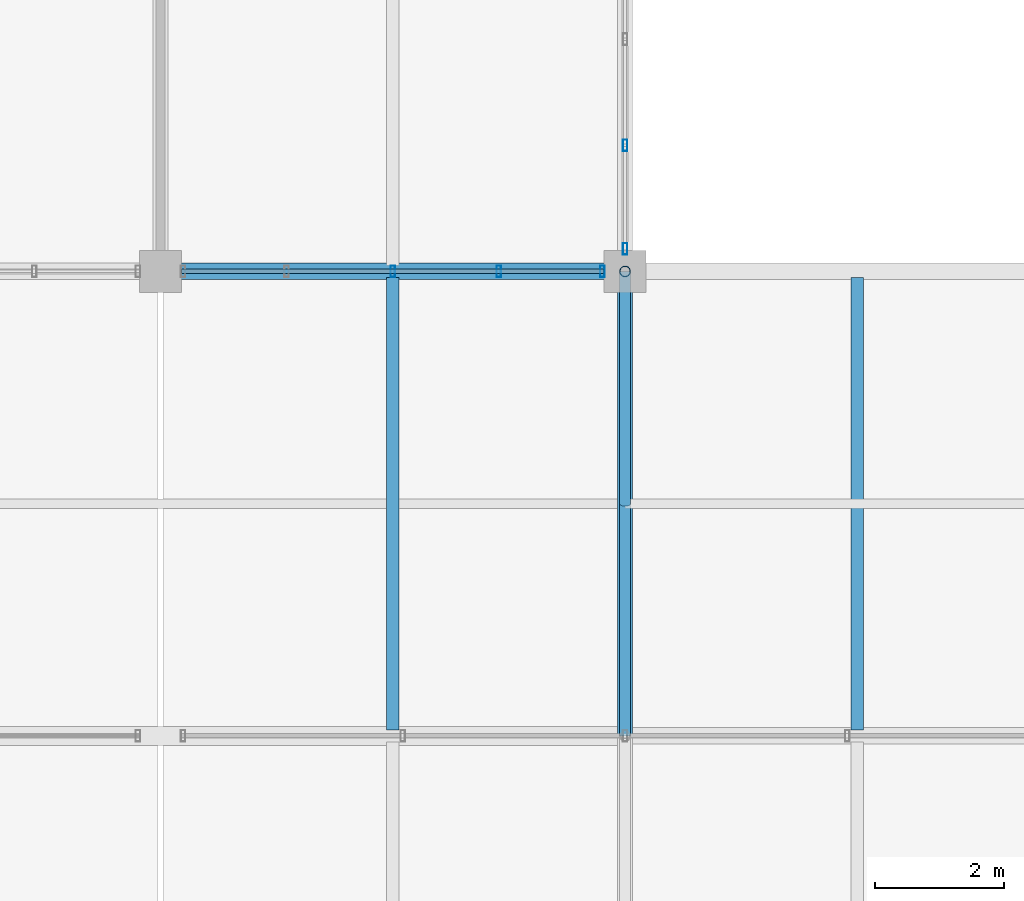
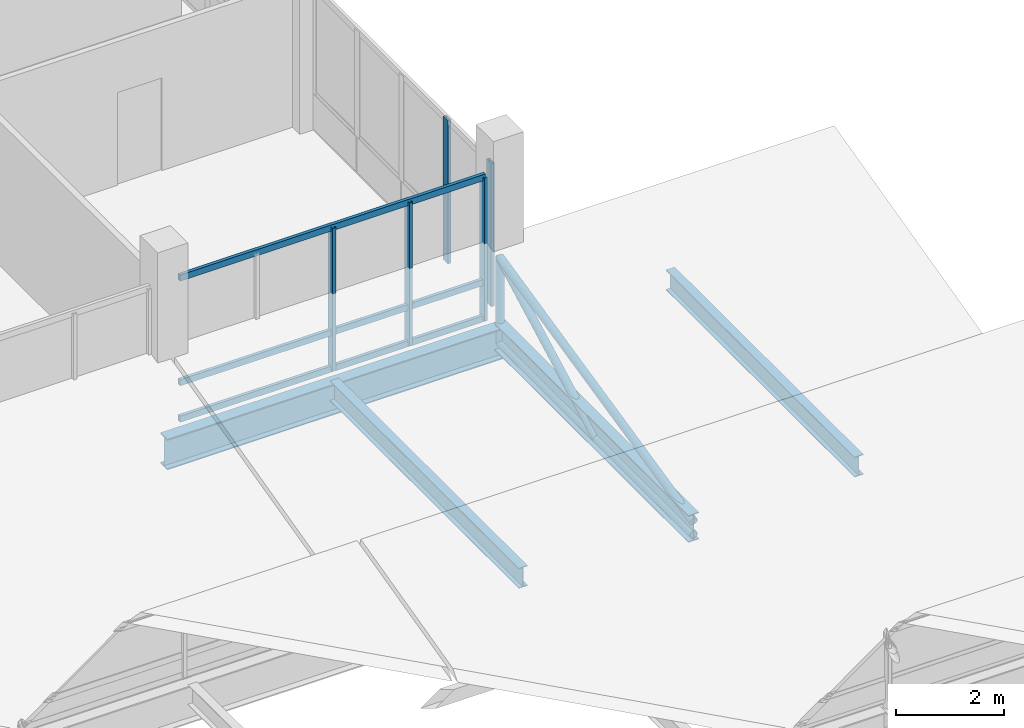
# One storey, part 84 of 144: 12 members, 4 beams, 2 elements without a shape of their own.
"""IFC4 building model written with IfcOpenShell, lengths in metres."""

from ifc_helpers import new_model, si_unit, direction, frame, origin, origin_2d, place, context, subcontext, project, spatial, hollow_rectangle, hollow_circle, i_section, extrude, material, material_profile, profile_set, type_object, element, aggregate, save


model = new_model("IFC4")

# Units and contexts
model_context = context("Model", 3, precision=1e-05, world=origin(), true_north=direction((0.0, 1.0)))
body_context = subcontext(model_context, "Body", "Model", "MODEL_VIEW")
ifc_project = project(units=[si_unit("LENGTHUNIT", "METRE"), si_unit("AREAUNIT", "SQUARE_METRE"), si_unit("VOLUMEUNIT", "CUBIC_METRE"), si_unit("PLANEANGLEUNIT", "RADIAN"), si_unit("MASSUNIT", "GRAM", prefix="KILO")], contexts=[model_context])

# Site, building, storey
site_placement = place(None, origin())
site = spatial("IfcSite", under=ifc_project, at=site_placement, CompositionType="ELEMENT")
building_placement = place(site_placement, origin())
building = spatial("IfcBuilding", under=site, at=building_placement, Name="Yarey Park Central Fire Station", CompositionType="ELEMENT")
storey_placement = place(building_placement, frame((0.0, 0.0, 10.199951171875)))
storey = spatial("IfcBuildingStorey", under=building, at=storey_placement, Name="L03", CompositionType="ELEMENT", Elevation=10.199951171875)

# Curtain wall, members
ifc_material_1 = material(Name="Anodized Aluminium Frame", Category="aluminium")
curtain_wall_type = type_object("IfcCurtainWallType", Name="ENV_CW_HQ_L03", PredefinedType="NOTDEFINED", material=ifc_material_1)
curtain_wall_1_placement = place(storey_placement, origin())
curtain_wall_1 = element("IfcCurtainWall", 1, at=curtain_wall_1_placement, inside=storey, type_object=curtain_wall_type, Name="CW_L03_V4_S_6", PredefinedType="NOTDEFINED")
ifc_material_profile_1 = material_profile(ifc_material_1, hollow_rectangle(XDim=0.070068359375, YDim=0.179931640625, WallThickness=0.00390625, at=origin_2d()), Name="ALU 180x70x4")
ifc_profile_set_1 = profile_set([ifc_material_profile_1], Name="Anodized Aluminium Frame")
member_type_1 = type_object("IfcMemberType", Name="ENV_CW_MULLION", PredefinedType="MULLION", material=ifc_profile_set_1)
member_1_placement = place(storey_placement, frame((154.800048828125, 93.60009765625, 0.0), z_axis=(0.0, 0.0, 1.0), x_axis=(1.0, 0.0, 0.0)))
member_1 = element("IfcMember", 2, at=member_1_placement, type_object=member_type_1, Name="CW_L03_V4_S_6_MUL3", PredefinedType="MULLION", context=body_context, shape_type="SweptSolid", body=[
    extrude(hollow_rectangle(XDim=0.070068359375, YDim=0.179931640625, WallThickness=0.00390625, at=origin_2d()), origin(), (0.0, 0.0, 1.0), 3.25),
])
member_2_placement = place(storey_placement, frame((156.445068359375, 93.60009765625, 0.0), z_axis=(0.0, 0.0, 1.0), x_axis=(1.0, 0.0, 0.0)))
member_2 = element("IfcMember", 3, at=member_2_placement, type_object=member_type_1, Name="CW_L03_V4_S_6_MUL4", PredefinedType="MULLION", context=body_context, shape_type="SweptSolid", body=[
    extrude(hollow_rectangle(XDim=0.070068359375, YDim=0.179931640625, WallThickness=0.00390625, at=origin_2d()), origin(), (0.0, 0.0, 1.0), 3.25),
])
member_3_placement = place(storey_placement, frame((158.050048828125, 93.60009765625, 0.0), z_axis=(0.0, 0.0, 1.0), x_axis=(1.0, 0.0, 0.0)))
member_3 = element("IfcMember", 4, at=member_3_placement, type_object=member_type_1, Name="CW_L03_V4_S_6_MUL5", PredefinedType="MULLION", context=body_context, shape_type="SweptSolid", body=[
    extrude(hollow_rectangle(XDim=0.070068359375, YDim=0.179931640625, WallThickness=0.00390625, at=origin_2d()), origin(), (0.0, 0.0, 1.0), 3.25),
])

curtain_wall_2_placement = place(storey_placement, origin())
curtain_wall_2 = element("IfcCurtainWall", 5, at=curtain_wall_2_placement, inside=storey, type_object=curtain_wall_type, Name="CW_L03_V4_E_93", PredefinedType="NOTDEFINED")
member_4_placement = place(storey_placement, frame((158.39990234375, 93.949951171875, 0.0), z_axis=(0.0, 0.0, 1.0), x_axis=(1.0, 0.0, 0.0)))
member_4 = element("IfcMember", 6, at=member_4_placement, type_object=member_type_1, Name="CW_L03_V4_E_93_MUL1", PredefinedType="MULLION", context=body_context, shape_type="SweptSolid", body=[
    extrude(hollow_rectangle(XDim=0.070068359375, YDim=0.179931640625, WallThickness=0.00390625, at=origin_2d()), origin(), (0.0, 0.0, 1.0), 3.25),
])
member_5_placement = place(storey_placement, frame((158.39990234375, 95.554931640625, 0.0), z_axis=(0.0, 0.0, 1.0), x_axis=(1.0, 0.0, 0.0)))
member_5 = element("IfcMember", 7, at=member_5_placement, type_object=member_type_1, Name="CW_L03_V4_E_93_MUL2", PredefinedType="MULLION", context=body_context, shape_type="SweptSolid", body=[
    extrude(hollow_rectangle(XDim=0.070068359375, YDim=0.179931640625, WallThickness=0.00390625, at=origin_2d()), origin(), (0.0, 0.0, 1.0), 3.25),
])
aggregate(curtain_wall_2, [member_4, member_5])

# Member
ifc_material_profile_2 = material_profile(ifc_material_1, hollow_rectangle(XDim=0.070068359375, YDim=0.139892578125, WallThickness=0.00390625, at=origin_2d()), Name="ALU 140x70x4")
ifc_profile_set_2 = profile_set([ifc_material_profile_2], Name="Anodized Aluminium Frame")
member_type_2 = type_object("IfcMemberType", Name="ENV_CW_TRANSOM", PredefinedType="USERDEFINED", material=ifc_profile_set_2)
member_6_placement = place(storey_placement, frame((151.52490234375, 93.60009765625, 0.025146484375), z_axis=(1.0, 0.0, 0.0), x_axis=(0.0, 1.0, 0.0)))
member_6 = element("IfcMember", 8, at=member_6_placement, type_object=member_type_2, Name="CW_L03_V4_S_6_TRN1", ObjectType="TRANSOM", PredefinedType="USERDEFINED", context=body_context, shape_type="SweptSolid", body=[
    extrude(hollow_rectangle(XDim=0.070068359375, YDim=0.139892578125, WallThickness=0.00390625, at=origin_2d()), origin(), (0.0, 0.0, 1.0), 6.550048828125),
])

member_7_placement = place(storey_placement, frame((151.52490234375, 93.60009765625, 0.85009765625), z_axis=(1.0, 0.0, 0.0), x_axis=(0.0, 1.0, 0.0)))
member_7 = element("IfcMember", 9, at=member_7_placement, type_object=member_type_2, Name="CW_L03_V4_S_6_TRN2", ObjectType="TRANSOM", PredefinedType="USERDEFINED", context=body_context, shape_type="SweptSolid", body=[
    extrude(hollow_rectangle(XDim=0.070068359375, YDim=0.139892578125, WallThickness=0.00390625, at=origin_2d()), origin(), (0.0, 0.0, 1.0), 6.550048828125),
])

member_8_placement = place(storey_placement, frame((151.52490234375, 93.60009765625, 3.22509765625), z_axis=(1.0, 0.0, 0.0), x_axis=(0.0, 1.0, 0.0)))
member_8 = element("IfcMember", 10, at=member_8_placement, type_object=member_type_2, Name="CW_L03_V4_S_6_TRN3", ObjectType="TRANSOM", PredefinedType="USERDEFINED", context=body_context, shape_type="SweptSolid", body=[
    extrude(hollow_rectangle(XDim=0.070068359375, YDim=0.139892578125, WallThickness=0.00390625, at=origin_2d()), origin(), (0.0, 0.0, 1.0), 6.550048828125),
])

aggregate(curtain_wall_1, [member_1, member_2, member_3, member_6, member_7, member_8])

# Beams
ifc_material_2 = material(Name="Steel ASTM A992 Gr. 50", Category="steel")
ifc_material_profile_3 = material_profile(ifc_material_2, i_section(OverallWidth=0.22900390625, OverallDepth=0.612060546875, WebThickness=0.011962890625, FlangeThickness=0.01953125, at=origin_2d()), Name="W610x125")
ifc_profile_set_3 = profile_set([ifc_material_profile_3], Name="Steel ASTM A992 Gr. 50")
beam_type_1 = type_object("IfcBeamType", Name="STR_BM_W610", PredefinedType="BEAM", material=ifc_profile_set_3)
beam_1_placement = place(storey_placement, frame((158.39990234375, 86.39990234375, -0.48583984375), z_axis=(0.0, 1.0, 0.0), x_axis=(-1.0, 0.0, 0.0)))
element("IfcBeam", 11, at=beam_1_placement, inside=storey, type_object=beam_type_1, Name="BMY L03 X1584 Y864", PredefinedType="BEAM", context=body_context, shape_type="SweptSolid", body=[
    extrude(i_section(OverallWidth=0.22900390625, OverallDepth=0.612060546875, WebThickness=0.011962890625, FlangeThickness=0.01953125, at=origin_2d()), origin(), (0.0, 0.0, 1.0), 7.2001953125),
])
ifc_material_profile_4 = material_profile(ifc_material_2, i_section(OverallWidth=0.256103515625, OverallDepth=0.693115234375, WebThickness=0.014404296875, FlangeThickness=0.023681640625, at=origin_2d()), Name="W690x170")
ifc_profile_set_4 = profile_set([ifc_material_profile_4], Name="Steel ASTM A992 Gr. 50")
beam_type_2 = type_object("IfcBeamType", Name="STR_BM_W690", PredefinedType="BEAM", material=ifc_profile_set_4)
beam_2_placement = place(storey_placement, frame((151.199951171875, 93.60009765625, -0.6064453125), z_axis=(1.0, 0.0, 0.0), x_axis=(0.0, 1.0, 0.0)))
element("IfcBeam", 12, at=beam_2_placement, inside=storey, type_object=beam_type_2, Name="BMX L03 Y936 X1512", PredefinedType="BEAM", context=body_context, shape_type="SweptSolid", body=[
    extrude(i_section(OverallWidth=0.256103515625, OverallDepth=0.693115234375, WebThickness=0.014404296875, FlangeThickness=0.023681640625, at=origin_2d()), origin(), (0.0, 0.0, 1.0), 7.199951171875),
])

# Members
ifc_material_3 = material(Name="Steel ASTM A500 Gr. C", Category="steel")
ifc_material_profile_5 = material_profile(ifc_material_3, hollow_circle(Radius=0.084228515625, WallThickness=0.008056640625, at=origin_2d()), Name="CHS 168.3x8")
ifc_profile_set_5 = profile_set([ifc_material_profile_5], Name="Steel ASTM A500 Gr. C")
member_type_3 = type_object("IfcMemberType", Name="STR_CHORD_CHS168", PredefinedType="CHORD", material=ifc_profile_set_5)
member_9_placement = place(storey_placement, frame((158.39990234375, 86.39990234375, -0.64990234375), z_axis=(0.0, 1.0, 0.0), x_axis=(-1.0, 0.0, 0.0)))
element("IfcMember", 13, at=member_9_placement, inside=storey, type_object=member_type_3, Name="SAW_T3_B7_BC", PredefinedType="CHORD", context=body_context, shape_type="SweptSolid", body=[
    extrude(hollow_circle(Radius=0.084228515625, WallThickness=0.008056640625, at=origin_2d()), origin(), (0.0, 0.0, 1.0), 7.2001953125),
])
member_10_placement = place(storey_placement, frame((158.39990234375, 86.39990234375, -0.349853515625), z_axis=(0.0, 0.975465753488, 0.220151229324), x_axis=(-1.0, 0.0, 0.0)))
element("IfcMember", 14, at=member_10_placement, inside=storey, type_object=member_type_3, Name="SAW_T3_B7_TC", PredefinedType="CHORD", context=body_context, shape_type="SweptSolid", body=[
    extrude(hollow_circle(Radius=0.084228515625, WallThickness=0.008056640625, at=origin_2d()), origin(), (0.0, 0.0, 1.0), 7.38134765625),
])

# Beams
ifc_material_profile_6 = material_profile(ifc_material_2, i_section(OverallWidth=0.18994140625, OverallDepth=0.45703125, WebThickness=0.009033203125, FlangeThickness=0.014404296875, at=origin_2d()), Name="W460x74")
ifc_profile_set_6 = profile_set([ifc_material_profile_6], Name="Steel ASTM A992 Gr. 50")
beam_type_3 = type_object("IfcBeamType", Name="STR_JST_W460", PredefinedType="JOIST", material=ifc_profile_set_6)
for number, where, z_axis, x_axis, name in (
    (15, (154.800048828125, 86.4951171875, -0.408447265625), (0.0, 1.0, 0.0), (-1.0, 0.0, 0.0), "JST L03 X1548 Y864"),
    (16, (162.0, 86.4951171875, -0.408447265625), (0.0, 1.0, 0.0), (-1.0, 0.0, 0.0), "JST L03 X1620 Y864"),
):
    element("IfcBeam", number, at=place(storey_placement, frame(where, z_axis=z_axis, x_axis=x_axis)), inside=storey, type_object=beam_type_3, Name=name, PredefinedType="JOIST", context=body_context, shape_type="SweptSolid", body=[
        extrude(i_section(OverallWidth=0.18994140625, OverallDepth=0.45703125, WebThickness=0.009033203125, FlangeThickness=0.014404296875, at=origin_2d()), origin(), (0.0, 0.0, 1.0), 7.009765625),
    ])

# Members
ifc_material_profile_7 = material_profile(ifc_material_3, hollow_circle(Radius=0.084228515625, WallThickness=0.008056640625, at=origin_2d()), Name="CHS 168.3x8")
ifc_profile_set_7 = profile_set([ifc_material_profile_7], Name="Steel ASTM A500 Gr. C")
member_type_4 = type_object("IfcMemberType", Name="STR_WEB_CHS168", PredefinedType="BRACE", material=ifc_profile_set_7)
member_11_placement = place(storey_placement, frame((158.39990234375, 93.60009765625, -0.64990234375), z_axis=(0.0, 0.0, 1.0), x_axis=(1.0, 0.0, 0.0)))
element("IfcMember", 17, at=member_11_placement, inside=storey, type_object=member_type_4, Name="SAW_T3_B7_VT", PredefinedType="BRACE", context=body_context, shape_type="SweptSolid", body=[
    extrude(hollow_circle(Radius=0.084228515625, WallThickness=0.008056640625, at=origin_2d()), origin(), (0.0, 0.0, 1.0), 1.925048828125),
])
member_12_placement = place(storey_placement, frame((158.39990234375, 90.0, -0.64990234375), z_axis=(0.0, 0.881844210833, 0.471540865483), x_axis=(-1.0, 0.0, 0.0)))
element("IfcMember", 18, at=member_12_placement, inside=storey, type_object=member_type_4, Name="SAW_T3_B7_DG", PredefinedType="BRACE", context=body_context, shape_type="SweptSolid", body=[
    extrude(hollow_circle(Radius=0.084228515625, WallThickness=0.008056640625, at=origin_2d()), origin(), (0.0, 0.0, 1.0), 4.08251953125),
])

save(model, "model.ifc")
